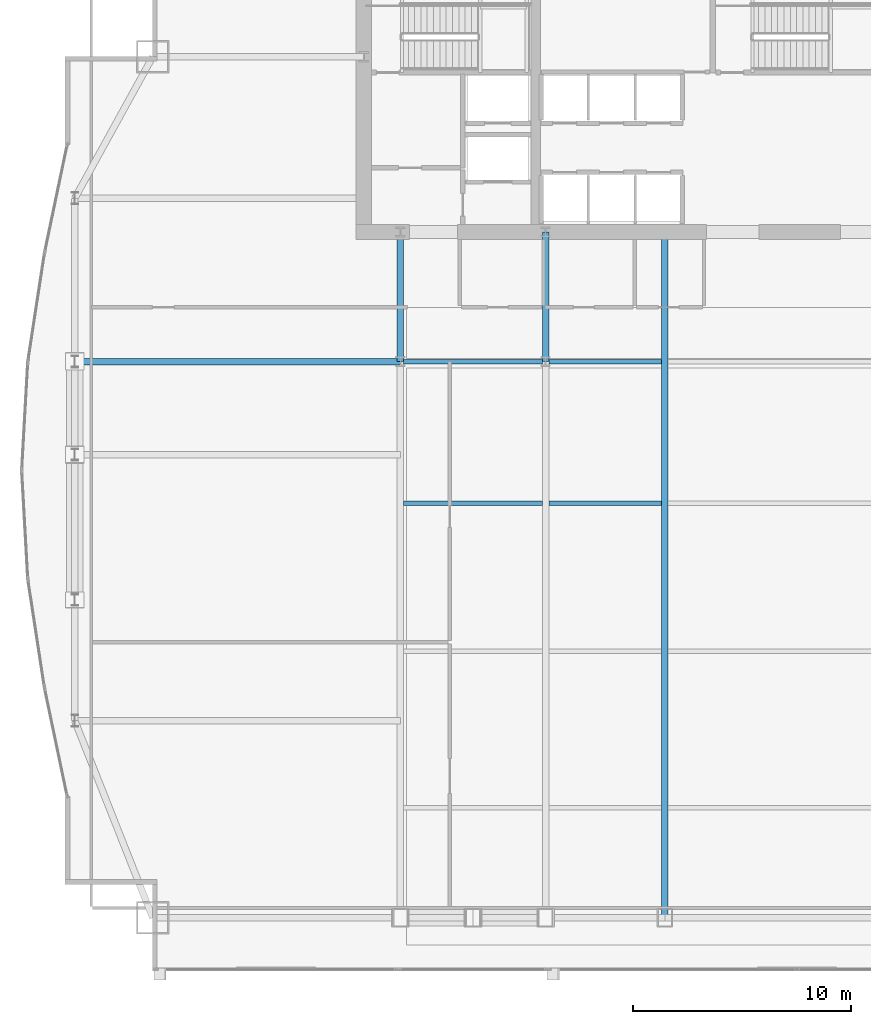
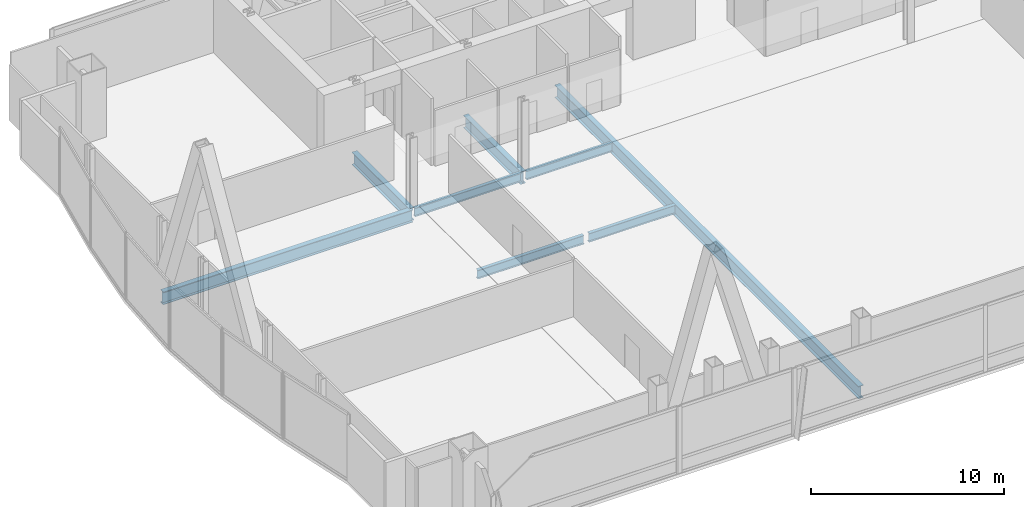
# One storey, part 13 of 32: 8 beams.
"""IFC4 building model written with IfcOpenShell, lengths in metres."""

from ifc_helpers import new_model, si_unit, direction, frame, origin, origin_2d, place, context, subcontext, project, spatial, i_section, extrude, material, material_profile, profile_set, type_object, element, save


model = new_model("IFC4")

# Units and contexts
model_context = context("Model", 3, precision=1e-05, world=origin(), true_north=direction((0.0, 1.0)))
body_context = subcontext(model_context, "Body", "Model", "MODEL_VIEW")
ifc_project = project(units=[si_unit("LENGTHUNIT", "METRE"), si_unit("AREAUNIT", "SQUARE_METRE"), si_unit("VOLUMEUNIT", "CUBIC_METRE"), si_unit("PLANEANGLEUNIT", "RADIAN"), si_unit("MASSUNIT", "GRAM", prefix="KILO")], contexts=[model_context])

# Site, building, storey
site_placement = place(None, origin())
site = spatial("IfcSite", under=ifc_project, at=site_placement, CompositionType="ELEMENT")
building_placement = place(site_placement, origin())
building = spatial("IfcBuilding", under=site, at=building_placement, Name="Khoronbel Lancet Exchange", CompositionType="ELEMENT")
storey_placement = place(building_placement, frame((0.0, 0.0, 106.60009765625)))
storey = spatial("IfcBuildingStorey", under=building, at=storey_placement, Name="L25", CompositionType="ELEMENT", Elevation=106.60009765625)

# Beams
ifc_material = material(Name="Steel S355", Category="steel")
ifc_material_profile_1 = material_profile(ifc_material, i_section(OverallWidth=0.300048828125, OverallDepth=0.800048828125, WebThickness=0.017578125, FlangeThickness=0.032958984375, at=origin_2d()), Name="HEB 800")
ifc_profile_set_1 = profile_set([ifc_material_profile_1], Name="Steel S355")
beam_type_1 = type_object("IfcBeamType", Name="BM-BG2", PredefinedType="BEAM", material=ifc_profile_set_1)
for number, where, z_axis, x_axis, name in (
    (1, (18.22509765625, 35.699951171875, -0.60009765625), (0.0, 1.0, 0.0), (-1.0, 0.0, 0.0), "Level L25 spine tie girder GN1"),
    (2, (24.89990234375, 35.699951171875, -0.60009765625), (0.0, 1.0, 0.0), (-1.0, 0.0, 0.0), "Level L25 spine tie girder GN2"),
):
    element("IfcBeam", number, at=place(storey_placement, frame(where, z_axis=z_axis, x_axis=x_axis)), inside=storey, type_object=beam_type_1, Name=name, PredefinedType="BEAM", context=body_context, shape_type="SweptSolid", body=[
        extrude(i_section(OverallWidth=0.300048828125, OverallDepth=0.800048828125, WebThickness=0.017578125, FlangeThickness=0.032958984375, at=origin_2d()), origin(), (0.0, 0.0, 1.0), 5.949951171875),
    ])
beam_1_placement = place(storey_placement, frame((30.375, 10.14990234375, -0.60009765625), z_axis=(0.0, 1.0, 0.0), x_axis=(-1.0, 0.0, 0.0)))
element("IfcBeam", 3, at=beam_1_placement, inside=storey, type_object=beam_type_1, Name="Level L25 primary floor girder G3", PredefinedType="BEAM", context=body_context, shape_type="SweptSolid", body=[
    extrude(i_section(OverallWidth=0.300048828125, OverallDepth=0.800048828125, WebThickness=0.017578125, FlangeThickness=0.032958984375, at=origin_2d()), origin(), (0.0, 0.0, 1.0), 31.5),
])
beam_2_placement = place(storey_placement, frame((3.27001953125, 35.699951171875, -0.60009765625), z_axis=(1.0, 0.0, 0.0), x_axis=(0.0, 1.0, 0.0)))
element("IfcBeam", 4, at=beam_2_placement, inside=storey, type_object=beam_type_1, Name="Level L25 west lens tie girder LG4W", PredefinedType="BEAM", context=body_context, shape_type="SweptSolid", body=[
    extrude(i_section(OverallWidth=0.300048828125, OverallDepth=0.800048828125, WebThickness=0.017578125, FlangeThickness=0.032958984375, at=origin_2d()), origin(), (0.0, 0.0, 1.0), 14.955078125),
])
ifc_material_profile_2 = material_profile(ifc_material, i_section(OverallWidth=0.2099609375, OverallDepth=0.550048828125, WebThickness=0.010986328125, FlangeThickness=0.01708984375, at=origin_2d()), Name="IPE 550")
ifc_profile_set_2 = profile_set([ifc_material_profile_2], Name="Steel S355")
beam_type_2 = type_object("IfcBeamType", Name="BM-BJ2", PredefinedType="JOIST", material=ifc_profile_set_2)
beam_3_placement = place(storey_placement, frame((18.375, 29.199951171875, -0.47509765625), z_axis=(1.0, 0.0, 0.0), x_axis=(0.0, 1.0, 0.0)))
element("IfcBeam", 5, at=beam_3_placement, inside=storey, type_object=beam_type_2, Name="Level L25 secondary composite joist J11", PredefinedType="JOIST", context=body_context, shape_type="SweptSolid", body=[
    extrude(i_section(OverallWidth=0.2099609375, OverallDepth=0.550048828125, WebThickness=0.010986328125, FlangeThickness=0.01708984375, at=origin_2d()), origin(), (0.0, 0.0, 1.0), 6.375),
])
beam_4_placement = place(storey_placement, frame((25.050048828125, 29.199951171875, -0.47509765625), z_axis=(1.0, 0.0, 0.0), x_axis=(0.0, 1.0, 0.0)))
element("IfcBeam", 6, at=beam_4_placement, inside=storey, type_object=beam_type_2, Name="Level L25 secondary composite joist J12", PredefinedType="JOIST", context=body_context, shape_type="SweptSolid", body=[
    extrude(i_section(OverallWidth=0.2099609375, OverallDepth=0.550048828125, WebThickness=0.010986328125, FlangeThickness=0.01708984375, at=origin_2d()), origin(), (0.0, 0.0, 1.0), 5.175048828125),
])
beam_5_placement = place(storey_placement, frame((18.375, 35.699951171875, -0.47509765625), z_axis=(1.0, 0.0, 0.0), x_axis=(0.0, 1.0, 0.0)))
element("IfcBeam", 7, at=beam_5_placement, inside=storey, type_object=beam_type_2, Name="Level L25 secondary composite joist J16", PredefinedType="JOIST", context=body_context, shape_type="SweptSolid", body=[
    extrude(i_section(OverallWidth=0.2099609375, OverallDepth=0.550048828125, WebThickness=0.010986328125, FlangeThickness=0.01708984375, at=origin_2d()), origin(), (0.0, 0.0, 1.0), 6.375),
])
beam_6_placement = place(storey_placement, frame((25.050048828125, 35.699951171875, -0.47509765625), z_axis=(1.0, 0.0, 0.0), x_axis=(0.0, 1.0, 0.0)))
element("IfcBeam", 8, at=beam_6_placement, inside=storey, type_object=beam_type_2, Name="Level L25 secondary composite joist J17", PredefinedType="JOIST", context=body_context, shape_type="SweptSolid", body=[
    extrude(i_section(OverallWidth=0.2099609375, OverallDepth=0.550048828125, WebThickness=0.010986328125, FlangeThickness=0.01708984375, at=origin_2d()), origin(), (0.0, 0.0, 1.0), 5.175048828125),
])

save(model, "model.ifc")
